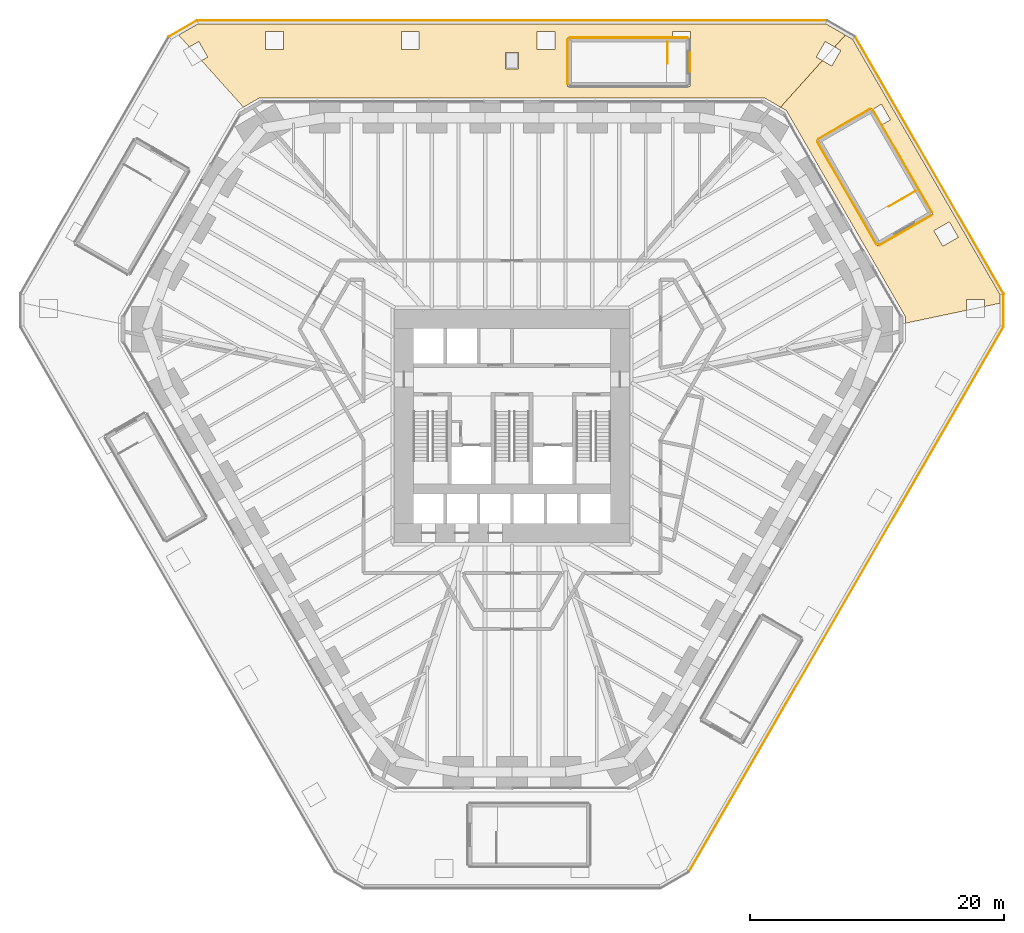
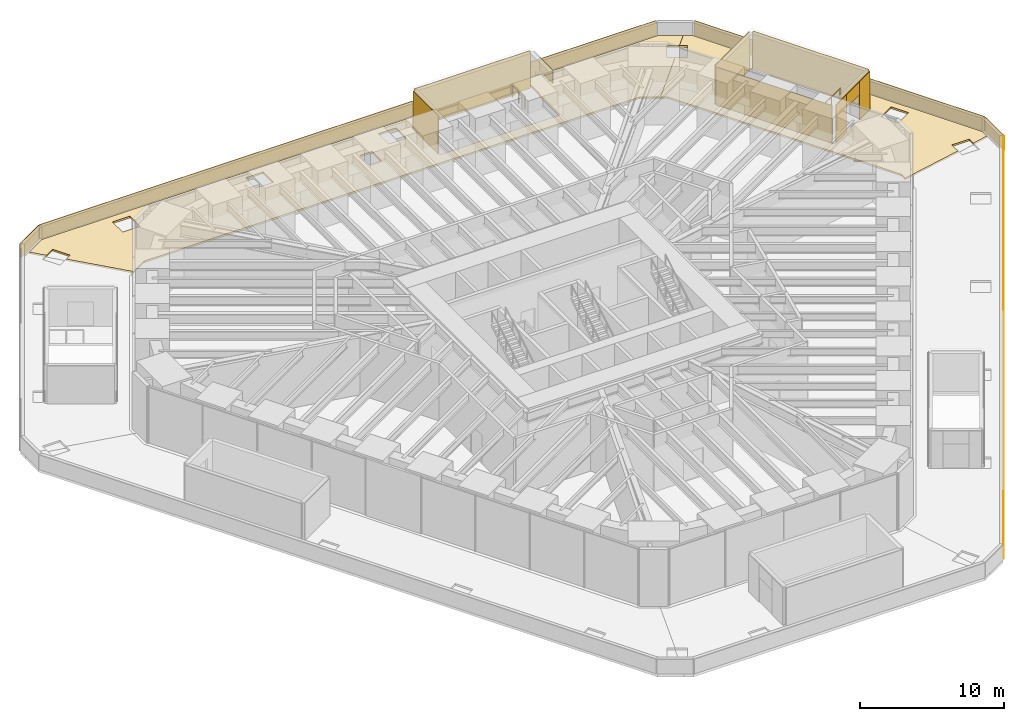
# One storey, part 19 of 20: 16 coverings, 2 railings.
"""IFC4 building model written with IfcOpenShell, lengths in metres."""

from ifc_helpers import new_model, si_unit, direction, frame, frame_2d, origin, origin_2d, place, context, subcontext, project, spatial, polyline, rectangle, circle, outline, extrude, material, layer, layer_set, type_object, element, save


model = new_model("IFC4")

# Units and contexts
model_context = context("Model", 3, precision=1e-05, world=origin(), true_north=direction((0.0, 1.0)))
body_context = subcontext(model_context, "Body", "Model", "MODEL_VIEW")
ifc_project = project(units=[si_unit("LENGTHUNIT", "METRE"), si_unit("AREAUNIT", "SQUARE_METRE"), si_unit("VOLUMEUNIT", "CUBIC_METRE"), si_unit("PLANEANGLEUNIT", "RADIAN"), si_unit("MASSUNIT", "GRAM", prefix="KILO")], contexts=[model_context])

# Site, building, storey
site_placement = place(None, origin())
site = spatial("IfcSite", under=ifc_project, at=site_placement, CompositionType="ELEMENT")
building_placement = place(site_placement, origin())
building = spatial("IfcBuilding", under=site, at=building_placement, Name="Sandreach Pilgrim Tower", CompositionType="ELEMENT")
storey_placement = place(building_placement, frame((0.0, 0.0, 18.0)))
storey = spatial("IfcBuildingStorey", under=building, at=storey_placement, Name="L03", CompositionType="ELEMENT", Elevation=18.0)

# Railings
ifc_material_1 = material(Name="Stainless steel tube", Category="steel")
railing_type = type_object("IfcRailingType", Name="Stair well guard", PredefinedType="GUARDRAIL", material=ifc_material_1)
railing_1_placement = place(storey_placement, frame((29.626953125, 15.70654296875, 0.0)))
element("IfcRailing", 1, at=railing_1_placement, inside=storey, type_object=railing_type, Name="Stair well guard ST4 L03", PredefinedType="GUARDRAIL", context=body_context, shape_type="SweptSolid", body=[
    extrude(circle(Radius=0.02392578125, at=origin_2d()), frame((0.0, 0.0, 1.076171875), z_axis=(0.866024647952, 0.500001309137, 0.0), x_axis=(-0.500001309137, 0.866024647952, 0.0)), (0.0, 0.0, 1.0), 2.39990234375),
    extrude(circle(Radius=0.02099609375, at=origin_2d()), origin(), (0.0, 0.0, 1.0), 1.052001953125),
    extrude(circle(Radius=0.02099609375, at=origin_2d()), frame((1.0390625, 0.60009765625, 0.0)), (0.0, 0.0, 1.0), 1.052001953125),
    extrude(circle(Radius=0.02099609375, at=origin_2d()), frame((2.078369140625, 1.199951171875, 0.0)), (0.0, 0.0, 1.0), 1.052001953125),
])
railing_2_placement = place(storey_placement, frame((12.229736328125, 26.94873046875, 0.0)))
element("IfcRailing", 2, at=railing_2_placement, inside=storey, type_object=railing_type, Name="Stair well guard ST7 L03", PredefinedType="GUARDRAIL", context=body_context, shape_type="SweptSolid", body=[
    extrude(circle(Radius=0.02392578125, at=origin_2d()), frame((0.0, 0.0, 1.076171875), z_axis=(0.0, 1.0, 0.0), x_axis=(-1.0, 0.0, 0.0)), (0.0, 0.0, 1.0), 1.699951171875),
    extrude(circle(Radius=0.02099609375, at=origin_2d()), origin(), (0.0, 0.0, 1.0), 1.052001953125),
    extrude(circle(Radius=0.02099609375, at=origin_2d()), frame((0.0, 0.85009765625, 0.0)), (0.0, 0.0, 1.0), 1.052001953125),
    extrude(circle(Radius=0.02099609375, at=origin_2d()), frame((0.0, 1.699951171875, 0.0)), (0.0, 0.0, 1.0), 1.052001953125),
])

# Coverings
ifc_material_2 = material(Name="Concrete pavers on pedestals, insulation and waterproofing membrane", Category="concrete")
ifc_layer_1 = layer(ifc_material_2, 0.14990234375)
ifc_layer_set_1 = layer_set([ifc_layer_1], Name="Terrace roofing - pavers on pedestals over insulation and membrane")
covering_type_1 = type_object("IfcCoveringType", Name="Terrace roofing - pavers on pedestals over insulation and membrane", PredefinedType="ROOFING", material=ifc_layer_set_1)
covering_1_placement = place(storey_placement, frame((0.0, 0.0, -0.14990234375)))
element("IfcCovering", 3, at=covering_1_placement, inside=storey, type_object=covering_type_1, Name="Terrace roofing L03 RING", PredefinedType="ROOFING", context=body_context, shape_type="SweptSolid", body=[
    extrude(outline(polyline([(25.36669921875, 28.249755859375), (24.627197265625, 28.6767578125), (23.922119140625, 27.45556640625), (24.40380859375, 27.177490234375), (21.115478515625, 23.515380859375), (19.84521484375, 24.248779296875), (-19.84521484375, 24.248779296875), (-21.115478515625, 23.515380859375), (-24.40380859375, 27.177490234375), (-23.922119140625, 27.45556640625), (-24.627197265625, 28.6767578125), (-25.36669921875, 28.249755859375), (-26.205322265625, 29.183837890625), (-24.6767578125, 30.064697265625), (24.6767578125, 30.064697265625), (26.205322265625, 29.183837890625), (25.36669921875, 28.249755859375)]), holes=[polyline([(-0.5, 26.52978515625), (0.5, 26.52978515625), (0.5, 27.829833984375), (-0.5, 27.829833984375), (-0.5, 26.52978515625)]), polyline([(-17.966796875, 29.455810546875), (-19.376708984375, 29.455810546875), (-19.376708984375, 28.0458984375), (-17.966796875, 28.0458984375), (-17.966796875, 29.455810546875)]), polyline([(-7.297119140625, 29.455810546875), (-8.70703125, 29.455810546875), (-8.70703125, 28.0458984375), (-7.297119140625, 28.0458984375), (-7.297119140625, 29.455810546875)]), polyline([(3.372314453125, 29.455810546875), (1.96240234375, 29.455810546875), (1.96240234375, 28.0458984375), (3.372314453125, 28.0458984375), (3.372314453125, 29.455810546875)]), polyline([(4.374755859375, 28.95361328125), (4.374755859375, 25.143798828125), (13.98486328125, 25.143798828125), (13.98486328125, 28.0458984375), (14.0419921875, 28.0458984375), (14.0419921875, 29.455810546875), (12.6318359375, 29.455810546875), (12.6318359375, 28.95361328125), (4.374755859375, 28.95361328125)])]), origin(), (0.0, 0.0, 1.0), 0.14990234375),
])
covering_2_placement = place(storey_placement, frame((0.0, 0.0, -0.14990234375)))
element("IfcCovering", 4, at=covering_2_placement, inside=storey, type_object=covering_type_1, Name="Terrace roofing L03 RING-NE", PredefinedType="ROOFING", context=body_context, shape_type="SweptSolid", body=[
    extrude(outline(polyline([(37.148193359375, 7.84326171875), (37.148193359375, 8.3994140625), (35.73828125, 8.3994140625), (35.73828125, 7.545654296875), (30.922607421875, 6.52880859375), (30.922607421875, 7.062255859375), (21.577392578125, 23.248779296875), (21.115478515625, 23.515380859375), (24.40380859375, 27.177490234375), (25.143310546875, 26.75048828125), (25.84814453125, 27.9716796875), (25.36669921875, 28.249755859375), (26.205322265625, 29.183837890625), (26.7744140625, 28.855712890625), (38.377197265625, 8.759521484375), (38.376708984375, 8.1025390625), (37.148193359375, 7.84326171875)]), holes=[polyline([(28.2919921875, 23.4287109375), (23.953125, 20.923583984375), (28.75830078125, 12.601318359375), (33.096923828125, 15.106201171875), (29.048828125, 22.117919921875), (29.757080078125, 22.526611328125), (29.052001953125, 23.747802734375), (28.34375, 23.3388671875), (28.2919921875, 23.4287109375)]), polyline([(35.092041015625, 13.285888671875), (34.38720703125, 14.507080078125), (33.166015625, 13.802001953125), (33.87109375, 12.580810546875), (35.092041015625, 13.285888671875)])]), origin(), (0.0, 0.0, 1.0), 0.14990234375),
])
ifc_material_3 = material(Name="Terracotta rainscreen panels on aluminium rails", Category="masonry")
ifc_layer_2 = layer(ifc_material_3, 0.050048828125)
ifc_layer_set_2 = layer_set([ifc_layer_2], Name="Terracotta rainscreen cladding 50")
covering_type_2 = type_object("IfcCoveringType", Name="Terracotta rainscreen cladding 50", PredefinedType="CLADDING", material=ifc_layer_set_2)
covering_3_placement = place(storey_placement, frame((-24.78662109375, 30.32470703125, -0.14990234375), z_axis=(0.0, 0.0, 1.0), x_axis=(-0.866373182582, -0.499397145068, 0.0)))
element("IfcCovering", 5, at=covering_3_placement, inside=storey, type_object=covering_type_2, Name="Rainscreen cladding on setback parapet l03 1", PredefinedType="CLADDING", context=body_context, shape_type="SweptSolid", body=[
    extrude(rectangle(XDim=2.49072265625, YDim=0.050048828125, at=frame_2d((1.245361328125, 0.0))), origin(), (0.0, 0.0, 1.0), 1.25),
])
covering_4_placement = place(storey_placement, frame((13.923583984375, -36.5732421875, -0.14990234375), z_axis=(0.0, 0.0, 1.0), x_axis=(0.500000964025, 0.866024847203, 0.0)))
element("IfcCovering", 6, at=covering_4_placement, inside=storey, type_object=covering_type_2, Name="Rainscreen cladding on setback parapet l03 8", PredefinedType="CLADDING", context=body_context, shape_type="SweptSolid", body=[
    extrude(rectangle(XDim=49.42333984375, YDim=0.050048828125, at=frame_2d((24.711669921875, 0.0))), origin(), (0.0, 0.0, 1.0), 1.25),
])
covering_5_placement = place(storey_placement, frame((38.6552734375, 6.303466796875, -0.14990234375), z_axis=(0.0, 0.0, 1.0), x_axis=(0.000686139811, 0.999999764606, 0.0)))
element("IfcCovering", 7, at=covering_5_placement, inside=storey, type_object=covering_type_2, Name="Rainscreen cladding on setback parapet l03 9", PredefinedType="CLADDING", context=body_context, shape_type="SweptSolid", body=[
    extrude(rectangle(XDim=2.49072265625, YDim=0.050048828125, at=frame_2d((1.245361328125, 0.0))), origin(), (0.0, 0.0, 1.0), 1.25),
])
covering_6_placement = place(storey_placement, frame((38.636962890625, 8.869384765625, -0.14990234375), z_axis=(0.0, 0.0, 1.0), x_axis=(-0.50000302432, 0.866023657685, 0.0)))
element("IfcCovering", 8, at=covering_6_placement, inside=storey, type_object=covering_type_2, Name="Rainscreen cladding on setback parapet l03 10", PredefinedType="CLADDING", context=body_context, shape_type="SweptSolid", body=[
    extrude(rectangle(XDim=23.274658203125, YDim=0.050048828125, at=frame_2d((11.63720703125, 0.0))), origin(), (0.0, 0.0, 1.0), 1.25),
])
covering_7_placement = place(storey_placement, frame((24.711669921875, 30.3447265625, -0.14990234375), z_axis=(0.0, 0.0, 1.0), x_axis=(-1.0, 0.0, 0.0)))
element("IfcCovering", 9, at=covering_7_placement, inside=storey, type_object=covering_type_2, Name="Rainscreen cladding on setback parapet l03 12", PredefinedType="CLADDING", context=body_context, shape_type="SweptSolid", body=[
    extrude(rectangle(XDim=49.42333984375, YDim=0.050048828125, at=frame_2d((24.711669921875, 0.0))), origin(), (0.0, 0.0, 1.0), 1.25),
])
covering_8_placement = place(storey_placement, frame((28.663330078125, 12.725341796875, 0.0), z_axis=(0.0, 0.0, 1.0), x_axis=(-0.499984536904, 0.866034331223, 0.0)))
element("IfcCovering", 10, at=covering_8_placement, inside=storey, type_object=covering_type_2, Name="Rainscreen cladding on stair ST4 head-house wall", PredefinedType="CLADDING", context=body_context, shape_type="SweptSolid", body=[
    extrude(rectangle(XDim=9.300048828125, YDim=0.050048828125, at=frame_2d((4.64990234375, 0.0))), origin(), (0.0, 0.0, 1.0), 3.199951171875),
])
covering_9_placement = place(storey_placement, frame((24.077392578125, 21.0185546875, 0.0), z_axis=(0.0, 0.0, 1.0), x_axis=(0.866038532462, 0.499977259774, 0.0)))
element("IfcCovering", 11, at=covering_9_placement, inside=storey, type_object=covering_type_2, Name="Rainscreen cladding on stair ST4 head-house wall", PredefinedType="CLADDING", context=body_context, shape_type="SweptSolid", body=[
    extrude(rectangle(XDim=4.699951171875, YDim=0.050048828125, at=frame_2d((2.35009765625, 0.0))), origin(), (0.0, 0.0, 1.0), 3.199951171875),
])
covering_10_placement = place(storey_placement, frame((28.38671875, 23.304443359375, 0.0), z_axis=(0.0, 0.0, 1.0), x_axis=(0.500015592816, -0.866016401081, 0.0)))
element("IfcCovering", 12, at=covering_10_placement, inside=storey, type_object=covering_type_2, Name="Rainscreen cladding on stair ST4 head-house wall", PredefinedType="CLADDING", context=body_context, shape_type="SweptSolid", body=[
    extrude(rectangle(XDim=9.300048828125, YDim=0.050048828125, at=frame_2d((4.64990234375, 0.0))), origin(), (0.0, 0.0, 1.0), 3.199951171875),
])
covering_11_placement = place(storey_placement, frame((32.97265625, 15.01123046875, 0.0), z_axis=(0.0, 0.0, 1.0), x_axis=(-0.86604818453, -0.499960540515, 0.0)))
element("IfcCovering", 13, at=covering_11_placement, inside=storey, type_object=covering_type_2, Name="Rainscreen cladding on stair ST4 head-house door wall, left of the door", PredefinedType="CLADDING", context=body_context, shape_type="SweptSolid", body=[
    extrude(rectangle(XDim=1.44970703125, YDim=0.050048828125, at=frame_2d((0.724853515625, 0.0))), origin(), (0.0, 0.0, 1.0), 3.199951171875),
])
covering_12_placement = place(storey_placement, frame((30.158203125, 13.38623046875, 0.0), z_axis=(0.0, 0.0, 1.0), x_axis=(-0.866090267075, -0.499887636653, 0.0)))
element("IfcCovering", 14, at=covering_12_placement, inside=storey, type_object=covering_type_2, Name="Rainscreen cladding on stair ST4 head-house door wall, right of the door", PredefinedType="CLADDING", context=body_context, shape_type="SweptSolid", body=[
    extrude(rectangle(XDim=1.449951171875, YDim=0.050048828125, at=frame_2d((0.72509765625, 0.0))), origin(), (0.0, 0.0, 1.0), 3.199951171875),
])
covering_13_placement = place(storey_placement, frame((31.717041015625, 14.286376953125, 2.10009765625), z_axis=(0.0, 0.0, 1.0), x_axis=(-0.865989075817, -0.500062916607, 0.0)))
element("IfcCovering", 15, at=covering_13_placement, inside=storey, type_object=covering_type_2, Name="Rainscreen cladding on stair ST4 head-house door wall, over the door", PredefinedType="CLADDING", context=body_context, shape_type="SweptSolid", body=[
    extrude(rectangle(XDim=1.800048828125, YDim=0.050048828125, at=frame_2d((0.89990234375, 0.0))), origin(), (0.0, 0.0, 1.0), 1.099853515625),
])
covering_14_placement = place(storey_placement, frame((4.354736328125, 25.298828125, 0.0), z_axis=(0.0, 0.0, 1.0), x_axis=(0.0, 1.0, 0.0)))
element("IfcCovering", 16, at=covering_14_placement, inside=storey, type_object=covering_type_2, Name="Rainscreen cladding on stair ST7 head-house wall", PredefinedType="CLADDING", context=body_context, shape_type="SweptSolid", body=[
    extrude(rectangle(XDim=3.5, YDim=0.050048828125, at=frame_2d((1.75, 0.0))), origin(), (0.0, 0.0, 1.0), 3.199951171875),
])
covering_15_placement = place(storey_placement, frame((4.52978515625, 28.9736328125, 0.0), z_axis=(0.0, 0.0, 1.0), x_axis=(1.0, 0.0, 0.0)))
element("IfcCovering", 17, at=covering_15_placement, inside=storey, type_object=covering_type_2, Name="Rainscreen cladding on stair ST7 head-house wall", PredefinedType="CLADDING", context=body_context, shape_type="SweptSolid", body=[
    extrude(rectangle(XDim=9.300048828125, YDim=0.050048828125, at=frame_2d((4.64990234375, 0.0))), origin(), (0.0, 0.0, 1.0), 3.199951171875),
])
covering_16_placement = place(storey_placement, frame((14.004638671875, 27.94873046875, 2.10009765625), z_axis=(0.0, 0.0, 1.0), x_axis=(0.0, -1.0, 0.0)))
element("IfcCovering", 18, at=covering_16_placement, inside=storey, type_object=covering_type_2, Name="Rainscreen cladding on stair ST7 head-house door wall, over the door", PredefinedType="CLADDING", context=body_context, shape_type="SweptSolid", body=[
    extrude(rectangle(XDim=1.800048828125, YDim=0.050048828125, at=frame_2d((0.89990234375, 0.0))), origin(), (0.0, 0.0, 1.0), 1.099853515625),
])

save(model, "model.ifc")
